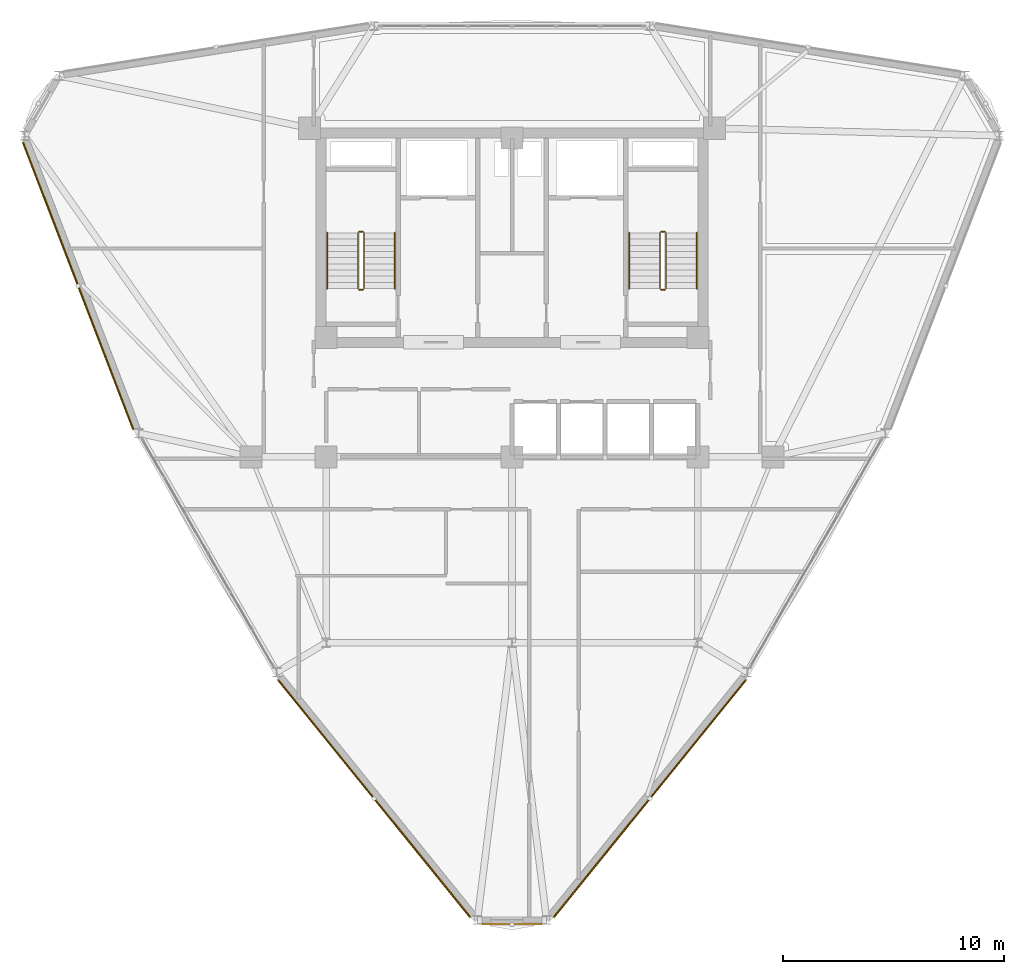
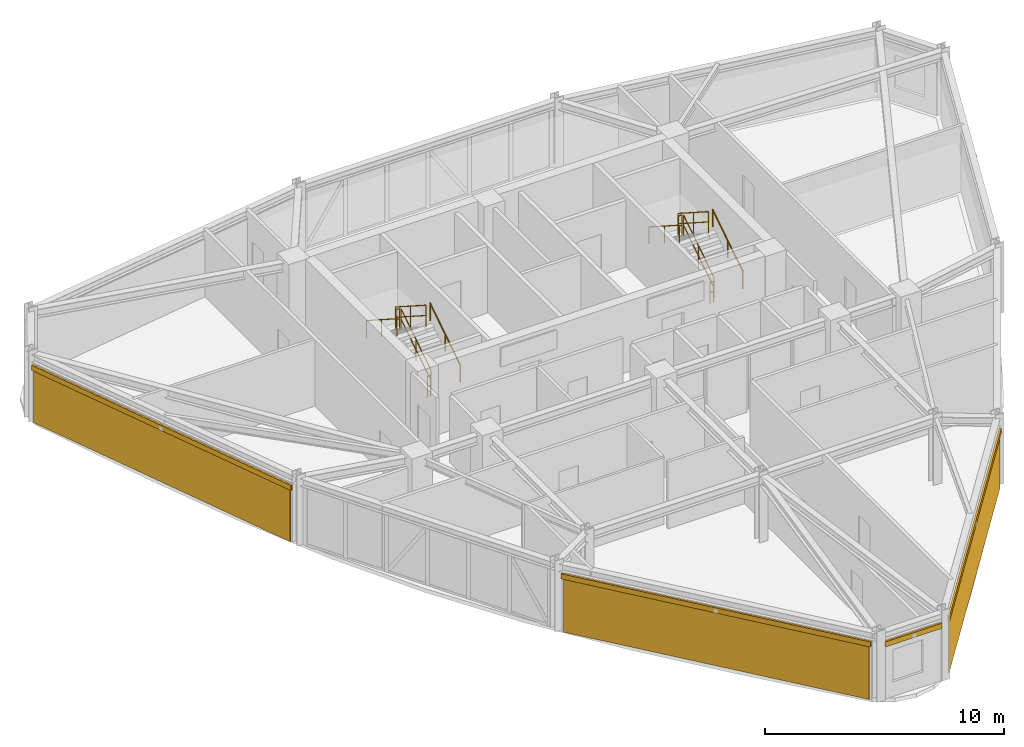
# One storey, part 13 of 14: 12 railings, 4 shading devices, 3 coverings.
"""IFC4 building model written with IfcOpenShell, lengths in metres."""

from ifc_helpers import new_model, si_unit, derived_unit, direction, frame, origin, origin_2d, place, context, subcontext, project, spatial, polyline, hollow_rectangle, circle, outline, extrude, source, transform, mapped, material, layer, layer_set, material_profile, profile_set, type_object, element, save


model = new_model("IFC4")

# Units and contexts
model_context = context("Model", 3, precision=1e-05, world=origin(), true_north=direction((0.0, 1.0)))
body_context = subcontext(model_context, "Body", "Model", "MODEL_VIEW")
ifc_project = project(units=[si_unit("LENGTHUNIT", "METRE"), si_unit("AREAUNIT", "SQUARE_METRE"), si_unit("VOLUMEUNIT", "CUBIC_METRE"), si_unit("PLANEANGLEUNIT", "RADIAN"), si_unit("MASSUNIT", "GRAM", prefix="KILO"), derived_unit("THERMALTRANSMITTANCEUNIT", [(si_unit("POWERUNIT", "WATT"), 1), (si_unit("LENGTHUNIT", "METRE"), -2), (si_unit("THERMODYNAMICTEMPERATUREUNIT", "KELVIN"), -1)])], contexts=[model_context])

# Site, building, storey
site_placement = place(None, origin())
site = spatial("IfcSite", under=ifc_project, at=site_placement, CompositionType="ELEMENT")
building_placement = place(site_placement, origin())
building = spatial("IfcBuilding", under=site, at=building_placement, Name="Korsvarv Bourse and Concert Hall", CompositionType="ELEMENT")
storey_placement = place(building_placement, frame((0.0, 0.0, 193.800048828125)))
storey = spatial("IfcBuildingStorey", under=building, at=storey_placement, Name="L50", CompositionType="ELEMENT", Elevation=193.800048828125)

# Coverings
ifc_material_1 = material(Name="Warm iron-oxide extruded terracotta rainscreen tile", Category="ceramic")
ifc_layer = layer(ifc_material_1, 0.044921875)
ifc_layer_set = layer_set([ifc_layer], Name="Warm iron-oxide extruded terracotta rainscreen tile")
covering_type = type_object("IfcCoveringType", Name="COV-CLD-TC", PredefinedType="CLADDING", material=ifc_layer_set)
covering_1_placement = place(storey_placement, origin())
element("IfcCovering", 1, at=covering_1_placement, inside=storey, type_object=covering_type, Name="L50 fluted terracotta cladding panel EW-L50-B06", PredefinedType="CLADDING", context=body_context, shape_type="SweptSolid", body=[
    extrude(outline(polyline([(13.954345703125, 46.576416015625), (18.901611328125, 33.701416015625), (18.859619140625, 33.685302734375), (13.912353515625, 46.560302734375), (13.954345703125, 46.576416015625)])), origin(), (0.0, 0.0, 1.0), 2.6298828125),
])
covering_2_placement = place(storey_placement, origin())
element("IfcCovering", 2, at=covering_2_placement, inside=storey, type_object=covering_type, Name="L50 fluted terracotta cladding panel EW-L50-B08", PredefinedType="CLADDING", context=body_context, shape_type="SweptSolid", body=[
    extrude(outline(polyline([(25.489013671875, 22.305908203125), (34.107666015625, 11.655517578125), (34.07275390625, 11.627197265625), (25.4541015625, 22.277587890625), (25.489013671875, 22.305908203125)])), origin(), (0.0, 0.0, 1.0), 2.68994140625),
])
covering_3_placement = place(storey_placement, origin())
element("IfcCovering", 3, at=covering_3_placement, inside=storey, type_object=covering_type, Name="L50 fluted terracotta cladding panel EW-L50-B10", PredefinedType="CLADDING", context=body_context, shape_type="SweptSolid", body=[
    extrude(outline(polyline([(37.892333984375, 11.655517578125), (46.510986328125, 22.305908203125), (46.5458984375, 22.277587890625), (37.92724609375, 11.627197265625), (37.892333984375, 11.655517578125)])), origin(), (0.0, 0.0, 1.0), 2.68994140625),
])

# Railings
ifc_material_2 = material(Name="Painted Steel S355 stair well guardrail", Category="steel")
railing_type_1 = type_object("IfcRailingType", Name="RL-ST-GRD", PredefinedType="GUARDRAIL", material=ifc_material_2)
railing_1_placement = place(storey_placement, frame((29.31005859375, 40.0, 0.179931640625)))
element("IfcRailing", 4, at=railing_1_placement, inside=storey, type_object=railing_type_1, Name="L50 ST-T1 stair guard 1", PredefinedType="GUARDRAIL", context=body_context, shape_type="SweptSolid", body=[
    extrude(circle(Radius=0.02392578125, at=origin_2d()), frame((0.0, 0.0, 1.076171875), z_axis=(0.0, 0.841162588446, 0.540782303519), x_axis=(-1.0, 0.0, 0.0)), (0.0, 0.0, 1.0), 2.995849609375),
    extrude(circle(Radius=0.02392578125, at=origin_2d()), frame((0.0, 0.0, 0.550048828125), z_axis=(0.0, 0.841162588446, 0.540782303519), x_axis=(-1.0, 0.0, 0.0)), (0.0, 0.0, 1.0), 2.995849609375),
    extrude(circle(Radius=0.02099609375, at=origin_2d()), origin(), (0.0, 0.0, 1.0), 1.052001953125),
    extrude(circle(Radius=0.02099609375, at=origin_2d()), frame((0.0, 1.260009765625, 0.81005859375)), (0.0, 0.0, 1.0), 1.052001953125),
    extrude(circle(Radius=0.02099609375, at=origin_2d()), frame((0.0, 2.52001953125, 1.6201171875)), (0.0, 0.0, 1.0), 1.052001953125),
])
railing_2_placement = place(storey_placement, frame((29.260009765625, 42.570068359375, 1.800048828125)))
element("IfcRailing", 5, at=railing_2_placement, inside=storey, type_object=railing_type_1, Name="L50 ST-T1 stair guard 2", PredefinedType="GUARDRAIL", context=body_context, shape_type="SweptSolid", body=[
    extrude(circle(Radius=0.02392578125, at=origin_2d()), frame((0.0, 0.0, 1.076171875), z_axis=(-1.0, 0.0, 0.0), x_axis=(0.0, -1.0, 0.0)), (0.0, 0.0, 1.0), 0.159912109375),
    extrude(circle(Radius=0.02392578125, at=origin_2d()), frame((0.0, 0.0, 0.550048828125), z_axis=(-1.0, 0.0, 0.0), x_axis=(0.0, -1.0, 0.0)), (0.0, 0.0, 1.0), 0.159912109375),
    extrude(circle(Radius=0.02099609375, at=origin_2d()), origin(), (0.0, 0.0, 1.0), 1.052001953125),
    extrude(circle(Radius=0.02099609375, at=origin_2d()), frame((-0.159912109375, 0.0, 0.0)), (0.0, 0.0, 1.0), 1.052001953125),
])
railing_3_placement = place(storey_placement, frame((29.050048828125, 42.52001953125, 1.97998046875)))
element("IfcRailing", 6, at=railing_3_placement, inside=storey, type_object=railing_type_1, Name="L50 ST-T1 stair guard 3", PredefinedType="GUARDRAIL", context=body_context, shape_type="SweptSolid", body=[
    extrude(circle(Radius=0.02392578125, at=origin_2d()), frame((0.0, 0.0, 1.076171875), z_axis=(0.0, -0.841199657755, 0.540724639528), x_axis=(1.0, 0.0, 0.0)), (0.0, 0.0, 1.0), 2.995849609375),
    extrude(circle(Radius=0.02392578125, at=origin_2d()), frame((0.0, 0.0, 0.550048828125), z_axis=(0.0, -0.841199657755, 0.540724639528), x_axis=(1.0, 0.0, 0.0)), (0.0, 0.0, 1.0), 2.995849609375),
    extrude(circle(Radius=0.02099609375, at=origin_2d()), origin(), (0.0, 0.0, 1.0), 1.052001953125),
    extrude(circle(Radius=0.02099609375, at=origin_2d()), frame((0.0, -1.260009765625, 0.81005859375)), (0.0, 0.0, 1.0), 1.052001953125),
    extrude(circle(Radius=0.02099609375, at=origin_2d()), frame((0.0, -2.52001953125, 1.619873046875)), (0.0, 0.0, 1.0), 1.052001953125),
])
railing_4_placement = place(storey_placement, frame((29.260009765625, 39.949951171875, 0.0)))
element("IfcRailing", 7, at=railing_4_placement, inside=storey, type_object=railing_type_1, Name="L50 ST-T1 stair guard 4", PredefinedType="GUARDRAIL", context=body_context, shape_type="SweptSolid", body=[
    extrude(circle(Radius=0.02392578125, at=origin_2d()), frame((0.0, 0.0, 1.076171875), z_axis=(-1.0, 0.0, 0.0), x_axis=(0.0, -1.0, 0.0)), (0.0, 0.0, 1.0), 0.159912109375),
    extrude(circle(Radius=0.02392578125, at=origin_2d()), frame((0.0, 0.0, 0.550048828125), z_axis=(-1.0, 0.0, 0.0), x_axis=(0.0, -1.0, 0.0)), (0.0, 0.0, 1.0), 0.159912109375),
    extrude(circle(Radius=0.02099609375, at=origin_2d()), origin(), (0.0, 0.0, 1.0), 1.052001953125),
    extrude(circle(Radius=0.02099609375, at=origin_2d()), frame((-0.159912109375, 0.0, 0.0)), (0.0, 0.0, 1.0), 1.052001953125),
])
railing_5_placement = place(storey_placement, frame((42.949951171875, 40.0, 0.179931640625)))
element("IfcRailing", 8, at=railing_5_placement, inside=storey, type_object=railing_type_1, Name="L50 ST-T2 stair guard 1", PredefinedType="GUARDRAIL", context=body_context, shape_type="SweptSolid", body=[
    extrude(circle(Radius=0.02392578125, at=origin_2d()), frame((0.0, 0.0, 1.076171875), z_axis=(0.0, 0.841162588446, 0.540782303519), x_axis=(-1.0, 0.0, 0.0)), (0.0, 0.0, 1.0), 2.995849609375),
    extrude(circle(Radius=0.02392578125, at=origin_2d()), frame((0.0, 0.0, 0.550048828125), z_axis=(0.0, 0.841162588446, 0.540782303519), x_axis=(-1.0, 0.0, 0.0)), (0.0, 0.0, 1.0), 2.995849609375),
    extrude(circle(Radius=0.02099609375, at=origin_2d()), origin(), (0.0, 0.0, 1.0), 1.052001953125),
    extrude(circle(Radius=0.02099609375, at=origin_2d()), frame((0.0, 1.260009765625, 0.81005859375)), (0.0, 0.0, 1.0), 1.052001953125),
    extrude(circle(Radius=0.02099609375, at=origin_2d()), frame((0.0, 2.52001953125, 1.6201171875)), (0.0, 0.0, 1.0), 1.052001953125),
])
railing_6_placement = place(storey_placement, frame((42.89990234375, 42.570068359375, 1.800048828125)))
element("IfcRailing", 9, at=railing_6_placement, inside=storey, type_object=railing_type_1, Name="L50 ST-T2 stair guard 2", PredefinedType="GUARDRAIL", context=body_context, shape_type="SweptSolid", body=[
    extrude(circle(Radius=0.02392578125, at=origin_2d()), frame((0.0, 0.0, 1.076171875), z_axis=(-1.0, 0.0, 0.0), x_axis=(0.0, -1.0, 0.0)), (0.0, 0.0, 1.0), 0.159912109375),
    extrude(circle(Radius=0.02392578125, at=origin_2d()), frame((0.0, 0.0, 0.550048828125), z_axis=(-1.0, 0.0, 0.0), x_axis=(0.0, -1.0, 0.0)), (0.0, 0.0, 1.0), 0.159912109375),
    extrude(circle(Radius=0.02099609375, at=origin_2d()), origin(), (0.0, 0.0, 1.0), 1.052001953125),
    extrude(circle(Radius=0.02099609375, at=origin_2d()), frame((-0.159912109375, 0.0, 0.0)), (0.0, 0.0, 1.0), 1.052001953125),
])
railing_7_placement = place(storey_placement, frame((42.68994140625, 42.52001953125, 1.97998046875)))
element("IfcRailing", 10, at=railing_7_placement, inside=storey, type_object=railing_type_1, Name="L50 ST-T2 stair guard 3", PredefinedType="GUARDRAIL", context=body_context, shape_type="SweptSolid", body=[
    extrude(circle(Radius=0.02392578125, at=origin_2d()), frame((0.0, 0.0, 1.076171875), z_axis=(0.0, -0.841199657755, 0.540724639528), x_axis=(1.0, 0.0, 0.0)), (0.0, 0.0, 1.0), 2.995849609375),
    extrude(circle(Radius=0.02392578125, at=origin_2d()), frame((0.0, 0.0, 0.550048828125), z_axis=(0.0, -0.841199657755, 0.540724639528), x_axis=(1.0, 0.0, 0.0)), (0.0, 0.0, 1.0), 2.995849609375),
    extrude(circle(Radius=0.02099609375, at=origin_2d()), origin(), (0.0, 0.0, 1.0), 1.052001953125),
    extrude(circle(Radius=0.02099609375, at=origin_2d()), frame((0.0, -1.260009765625, 0.81005859375)), (0.0, 0.0, 1.0), 1.052001953125),
    extrude(circle(Radius=0.02099609375, at=origin_2d()), frame((0.0, -2.52001953125, 1.619873046875)), (0.0, 0.0, 1.0), 1.052001953125),
])
railing_8_placement = place(storey_placement, frame((42.89990234375, 39.949951171875, 0.0)))
element("IfcRailing", 11, at=railing_8_placement, inside=storey, type_object=railing_type_1, Name="L50 ST-T2 stair guard 4", PredefinedType="GUARDRAIL", context=body_context, shape_type="SweptSolid", body=[
    extrude(circle(Radius=0.02392578125, at=origin_2d()), frame((0.0, 0.0, 1.076171875), z_axis=(-1.0, 0.0, 0.0), x_axis=(0.0, -1.0, 0.0)), (0.0, 0.0, 1.0), 0.159912109375),
    extrude(circle(Radius=0.02392578125, at=origin_2d()), frame((0.0, 0.0, 0.550048828125), z_axis=(-1.0, 0.0, 0.0), x_axis=(0.0, -1.0, 0.0)), (0.0, 0.0, 1.0), 0.159912109375),
    extrude(circle(Radius=0.02099609375, at=origin_2d()), origin(), (0.0, 0.0, 1.0), 1.052001953125),
    extrude(circle(Radius=0.02099609375, at=origin_2d()), frame((-0.159912109375, 0.0, 0.0)), (0.0, 0.0, 1.0), 1.052001953125),
])
ifc_material_3 = material(Name="Brushed stainless Steel S355 tubular handrail", Category="steel")
railing_type_2 = type_object("IfcRailingType", Name="RL-ST-HND", PredefinedType="HANDRAIL", material=ifc_material_3)
railing_9_placement = place(storey_placement, frame((30.7099609375, 40.0, 0.179931640625)))
element("IfcRailing", 12, at=railing_9_placement, inside=storey, type_object=railing_type_2, Name="L50 ST-T1 stair handrail 1", PredefinedType="HANDRAIL", context=body_context, shape_type="SweptSolid", body=[
    extrude(circle(Radius=0.02392578125, at=origin_2d()), frame((0.0, 0.0, 0.8759765625), z_axis=(0.0, 0.841162588446, 0.540782303519), x_axis=(-1.0, 0.0, 0.0)), (0.0, 0.0, 1.0), 2.995849609375),
    extrude(circle(Radius=0.02099609375, at=origin_2d()), origin(), (0.0, 0.0, 1.0), 0.851806640625),
    extrude(circle(Radius=0.02099609375, at=origin_2d()), frame((0.0, 1.260009765625, 0.81005859375)), (0.0, 0.0, 1.0), 0.851806640625),
    extrude(circle(Radius=0.02099609375, at=origin_2d()), frame((0.0, 2.52001953125, 1.6201171875)), (0.0, 0.0, 1.0), 0.851806640625),
])
railing_10_placement = place(storey_placement, frame((27.64990234375, 42.52001953125, 1.97998046875)))
element("IfcRailing", 13, at=railing_10_placement, inside=storey, type_object=railing_type_2, Name="L50 ST-T1 stair handrail 2", PredefinedType="HANDRAIL", context=body_context, shape_type="SweptSolid", body=[
    extrude(circle(Radius=0.02392578125, at=origin_2d()), frame((0.0, 0.0, 0.8759765625), z_axis=(0.0, -0.841199657755, 0.540724639528), x_axis=(1.0, 0.0, 0.0)), (0.0, 0.0, 1.0), 2.995849609375),
    extrude(circle(Radius=0.02099609375, at=origin_2d()), origin(), (0.0, 0.0, 1.0), 0.851806640625),
    extrude(circle(Radius=0.02099609375, at=origin_2d()), frame((0.0, -1.260009765625, 0.81005859375)), (0.0, 0.0, 1.0), 0.851806640625),
    extrude(circle(Radius=0.02099609375, at=origin_2d()), frame((0.0, -2.52001953125, 1.619873046875)), (0.0, 0.0, 1.0), 0.851806640625),
])
railing_11_placement = place(storey_placement, frame((44.35009765625, 40.0, 0.179931640625)))
element("IfcRailing", 14, at=railing_11_placement, inside=storey, type_object=railing_type_2, Name="L50 ST-T2 stair handrail 1", PredefinedType="HANDRAIL", context=body_context, shape_type="SweptSolid", body=[
    extrude(circle(Radius=0.02392578125, at=origin_2d()), frame((0.0, 0.0, 0.8759765625), z_axis=(0.0, 0.841162588446, 0.540782303519), x_axis=(-1.0, 0.0, 0.0)), (0.0, 0.0, 1.0), 2.995849609375),
    extrude(circle(Radius=0.02099609375, at=origin_2d()), origin(), (0.0, 0.0, 1.0), 0.851806640625),
    extrude(circle(Radius=0.02099609375, at=origin_2d()), frame((0.0, 1.260009765625, 0.81005859375)), (0.0, 0.0, 1.0), 0.851806640625),
    extrude(circle(Radius=0.02099609375, at=origin_2d()), frame((0.0, 2.52001953125, 1.6201171875)), (0.0, 0.0, 1.0), 0.851806640625),
])
railing_12_placement = place(storey_placement, frame((41.2900390625, 42.52001953125, 1.97998046875)))
element("IfcRailing", 15, at=railing_12_placement, inside=storey, type_object=railing_type_2, Name="L50 ST-T2 stair handrail 2", PredefinedType="HANDRAIL", context=body_context, shape_type="SweptSolid", body=[
    extrude(circle(Radius=0.02392578125, at=origin_2d()), frame((0.0, 0.0, 0.8759765625), z_axis=(0.0, -0.841199657755, 0.540724639528), x_axis=(1.0, 0.0, 0.0)), (0.0, 0.0, 1.0), 2.995849609375),
    extrude(circle(Radius=0.02099609375, at=origin_2d()), origin(), (0.0, 0.0, 1.0), 0.851806640625),
    extrude(circle(Radius=0.02099609375, at=origin_2d()), frame((0.0, -1.260009765625, 0.81005859375)), (0.0, 0.0, 1.0), 0.851806640625),
    extrude(circle(Radius=0.02099609375, at=origin_2d()), frame((0.0, -2.52001953125, 1.619873046875)), (0.0, 0.0, 1.0), 0.851806640625),
])

# Shading devices
ifc_material_4 = material(Name="Glazed extruded architectural terracotta", Category="ceramic")
ifc_material_profile = material_profile(ifc_material_4, hollow_rectangle(XDim=0.090087890625, YDim=0.260009765625, WallThickness=0.011962890625, at=origin_2d()), Name="TC-BAG 90x260")
ifc_profile_set = profile_set([ifc_material_profile], Name="Glazed extruded architectural terracotta")
shading_device_type = type_object("IfcShadingDeviceType", Name="SHD-BAG-1", PredefinedType="USERDEFINED", material=ifc_profile_set)
shared_shape_1 = source(origin(), body_context, "Body", "SweptSolid", [
    extrude(hollow_rectangle(XDim=0.090087890625, YDim=0.260009765625, WallThickness=0.011962890625, at=origin_2d()), origin(), (0.0, 0.0, 1.0), 13.952880859375),
])
shading_device_1_placement = place(storey_placement, frame((13.88818359375, 46.63671875, 2.7900390625), z_axis=(0.358682414456, -0.933459653954, 0.0), x_axis=(0.933459653954, 0.358682414456, 0.0)))
element("IfcShadingDevice", 16, at=shading_device_1_placement, inside=storey, type_object=shading_device_type, Name="L50 terracotta baguette sunshade EW-L50-B06", ObjectType="BAGUETTE", PredefinedType="USERDEFINED", context=body_context, shape_type="MappedRepresentation", body=[
    mapped(shared_shape_1, transform((0.0, 0.0, 0.0), scale=1.0)),
])
shared_shape_2 = source(origin(), body_context, "Body", "SweptSolid", [
    extrude(hollow_rectangle(XDim=0.090087890625, YDim=0.260009765625, WallThickness=0.011962890625, at=origin_2d()), origin(), (0.0, 0.0, 1.0), 13.86083984375),
])
for number, where, z_axis, x_axis, name in (
    (17, (25.40771484375, 22.343017578125, 2.849853515625), (0.62905431668, -0.777361348837, 0.0), (0.777361348837, 0.62905431668, 0.0), "L50 terracotta baguette sunshade EW-L50-B08"),
    (18, (37.873046875, 11.568115234375, 2.849853515625), (0.62905431668, 0.777361348837, 0.0), (-0.777361348837, 0.62905431668, 0.0), "L50 terracotta baguette sunshade EW-L50-B10"),
):
    element("IfcShadingDevice", number, at=place(storey_placement, frame(where, z_axis=z_axis, x_axis=x_axis)), inside=storey, type_object=shading_device_type, Name=name, ObjectType="BAGUETTE", PredefinedType="USERDEFINED", context=body_context, shape_type="MappedRepresentation", body=[
        mapped(shared_shape_2, transform((0.0, 0.0, 0.0), scale=1.0)),
    ])
shared_shape_3 = source(origin(), body_context, "Body", "SweptSolid", [
    extrude(hollow_rectangle(XDim=0.090087890625, YDim=0.260009765625, WallThickness=0.011962890625, at=origin_2d()), origin(), (0.0, 0.0, 1.0), 2.71337890625),
])
shading_device_2_placement = place(storey_placement, frame((34.643310546875, 11.280029296875, 2.849853515625), z_axis=(1.0, 0.0, 0.0), x_axis=(0.0, 1.0, 0.0)))
element("IfcShadingDevice", 19, at=shading_device_2_placement, inside=storey, type_object=shading_device_type, Name="L50 terracotta baguette sunshade EW-L50-B09", ObjectType="BAGUETTE", PredefinedType="USERDEFINED", context=body_context, shape_type="MappedRepresentation", body=[
    mapped(shared_shape_3, transform((0.0, 0.0, 0.0), scale=1.0)),
])

save(model, "model.ifc")
